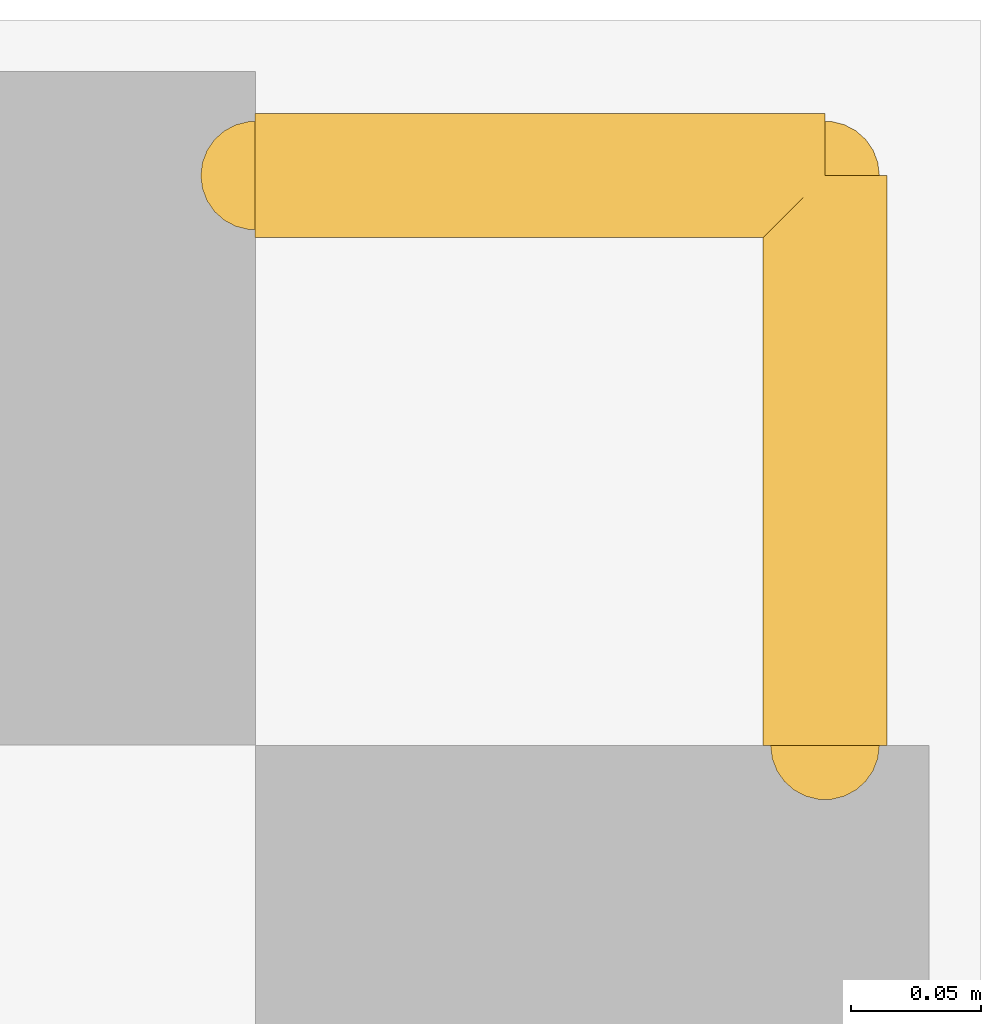
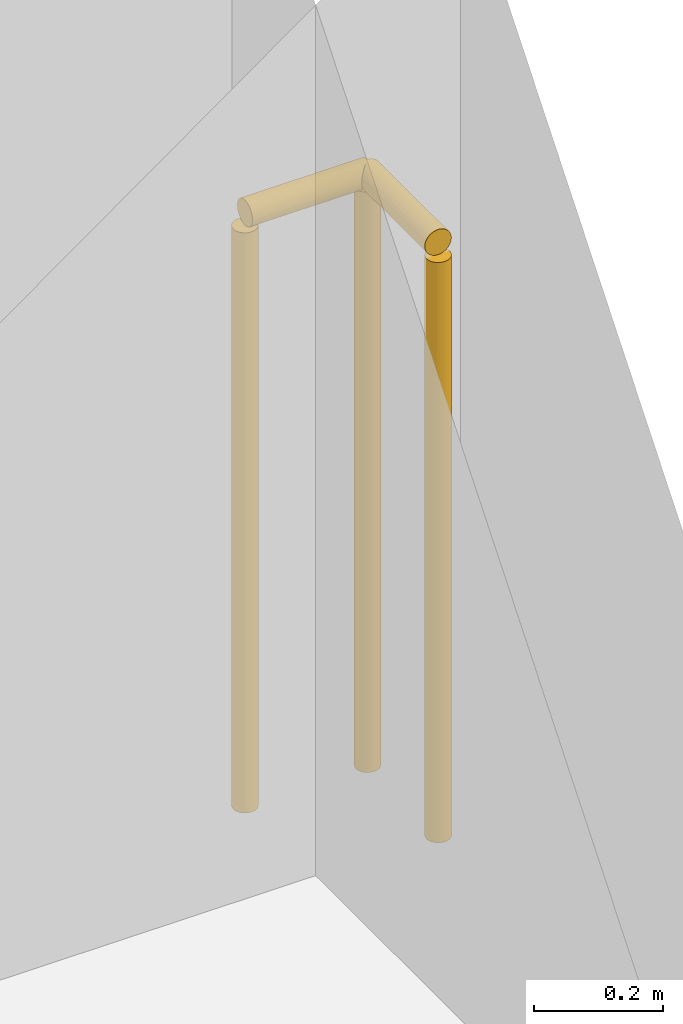
# One storey, part 27 of 27: 1 railing.
"""IFC4 building model written with IfcOpenShell, lengths in metres."""

from ifc_helpers import new_model, si_unit, direction, frame, origin, origin_2d, place, context, subcontext, project, spatial, circle, extrude, material, type_object, element, save


model = new_model("IFC4")

# Units and contexts
model_context = context("Model", 3, precision=1e-05, world=origin(), true_north=direction((0.0, 1.0)))
body_context = subcontext(model_context, "Body", "Model", "MODEL_VIEW")
ifc_project = project(units=[si_unit("LENGTHUNIT", "METRE"), si_unit("AREAUNIT", "SQUARE_METRE"), si_unit("VOLUMEUNIT", "CUBIC_METRE"), si_unit("PLANEANGLEUNIT", "RADIAN"), si_unit("MASSUNIT", "GRAM", prefix="KILO")], contexts=[model_context])

# Site, building, storey
site_placement = place(None, origin())
site = spatial("IfcSite", under=ifc_project, at=site_placement, CompositionType="ELEMENT")
building_placement = place(site_placement, origin())
building = spatial("IfcBuilding", under=site, at=building_placement, Name="Solvane Sanctuary Tower", CompositionType="ELEMENT")
storey_placement = place(building_placement, frame((0.0, 0.0, 23.0)))
storey = spatial("IfcBuildingStorey", under=building, at=storey_placement, Name="L06", CompositionType="ELEMENT", Elevation=23.0)

# Railing
ifc_material = material(Name="Architectural Stainless Steel 316", Category="steel")
railing_type = type_object("IfcRailingType", Name="Railing GR-BALC-1150", PredefinedType="BALUSTRADE", material=ifc_material)
railing_placement = place(storey_placement, frame((63.719970703125, 45.93994140625, 0.0)))
element("IfcRailing", 1, at=railing_placement, inside=storey, type_object=railing_type, Name="L06 Perimeter Slab Edge Guardrail 03", PredefinedType="BALUSTRADE", context=body_context, shape_type="SweptSolid", body=[
    extrude(circle(Radius=0.02392578125, at=origin_2d()), frame((0.0, 0.0, 1.1259765625), z_axis=(1.0, 0.0, 0.0), x_axis=(0.0, 1.0, 0.0)), (0.0, 0.0, 1.0), 0.219970703125),
    extrude(circle(Radius=0.02392578125, at=origin_2d()), frame((0.219970703125, 0.0, 1.1259765625), z_axis=(0.0, -1.0, 0.0), x_axis=(1.0, 0.0, 0.0)), (0.0, 0.0, 1.0), 0.219970703125),
    extrude(circle(Radius=0.02099609375, at=origin_2d()), origin(), (0.0, 0.0, 1.0), 1.101806640625),
    extrude(circle(Radius=0.02099609375, at=origin_2d()), frame((0.219970703125, 0.0, 0.0)), (0.0, 0.0, 1.0), 1.101806640625),
    extrude(circle(Radius=0.02099609375, at=origin_2d()), frame((0.219970703125, -0.219970703125, 0.0)), (0.0, 0.0, 1.0), 1.101806640625),
])

save(model, "model.ifc")
